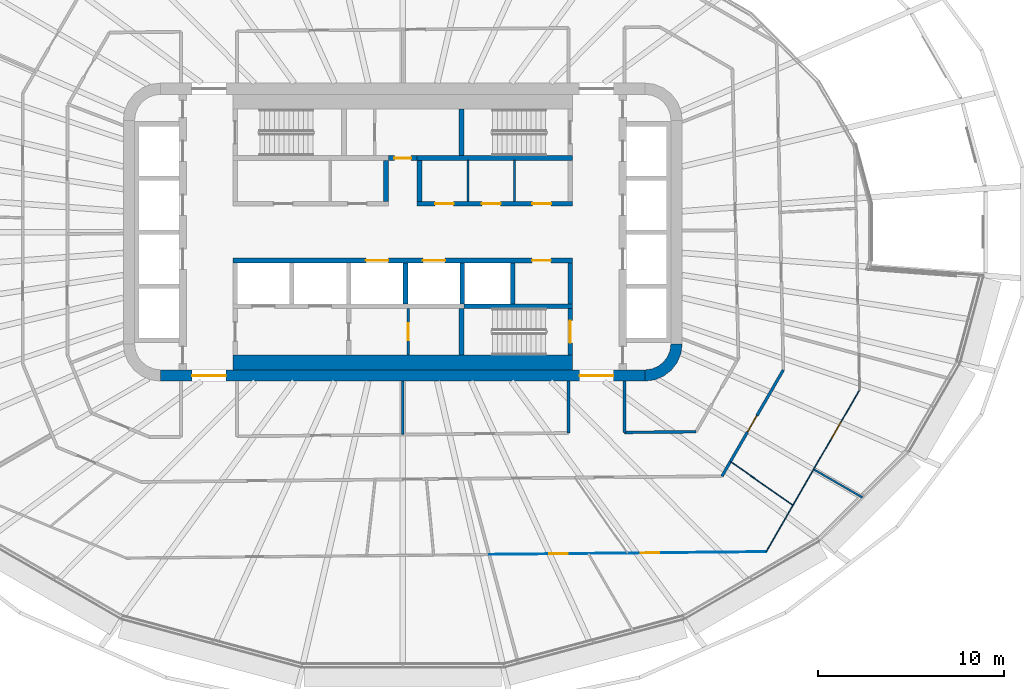
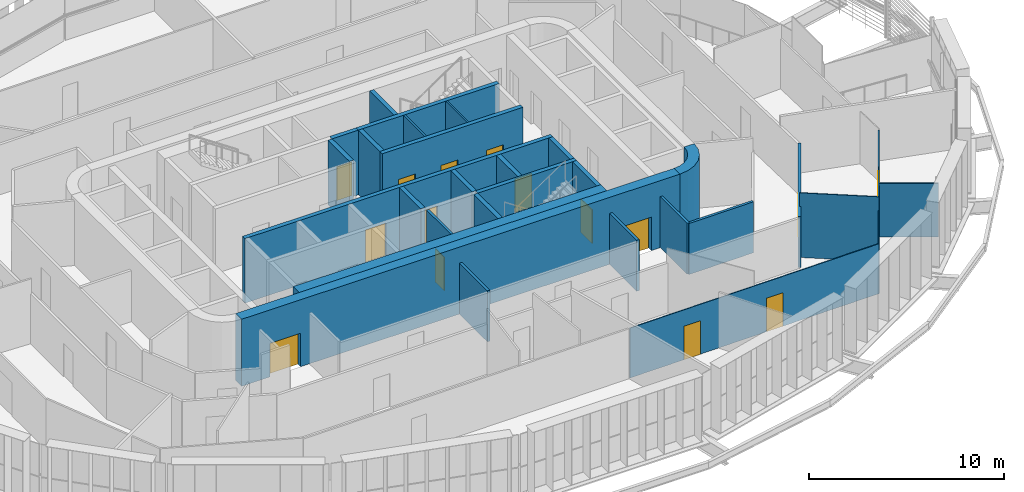
# One storey, part 14 of 24: 29 walls, 15 doors, 15 openings.
"""IFC4 building model written with IfcOpenShell, lengths in metres."""

import ifcopenshell
import ifcopenshell.guid

model = None  # the IFC model being written
_history = None  # IfcOwnerHistory: only IFC2X3 demands one
_inside = {}  # id of a spatial element -> (the spatial element, [elements in it])
_under = {}  # id of a project, library or spatial element -> (it, [spatial elements below it])
_declared = {}  # id of a project -> (the project, [libraries it declares])
_typed = {}  # id of a type object -> (the type object, [elements of that type])
_made_of = {}  # id of a material, layer set ... -> (it, [elements and type objects made of it])


def new_model(schema):
    """Start an empty IFC model of exactly this schema.

    Asked for "IFC4X3", IfcOpenShell would pick the latest addendum, in which some entities
    have other attributes; the version numbers below select the first issue.
    IFC2X3 requires an IfcOwnerHistory on every rooted entity: one is made here for all.
    """
    global model, _history
    if schema == "IFC4X3":
        model = ifcopenshell.file(schema_version=(4, 3, 0, 0))
    else:
        model = ifcopenshell.file(schema=schema)
    _inside.clear()
    _under.clear()
    _declared.clear()
    _typed.clear()
    _made_of.clear()
    _history = None
    if model.schema == "IFC2X3":
        org = make("IfcOrganization", Name="unknown")
        user = make(
            "IfcPersonAndOrganization",
            ThePerson=make("IfcPerson", FamilyName="unknown"),
            TheOrganization=org,
        )
        app = make(
            "IfcApplication",
            ApplicationDeveloper=org,
            Version="unknown",
            ApplicationFullName="unknown",
            ApplicationIdentifier="unknown",
        )
        _history = make(
            "IfcOwnerHistory",
            OwningUser=user,
            OwningApplication=app,
            ChangeAction="ADDED",
            CreationDate=0,
        )
    return model


def make(cls, **values):
    """One entity of the class cls with the attributes given. An attribute that is None is left unset."""
    return model.create_entity(
        cls, **{name: value for name, value in values.items() if value is not None}
    )


def rooted(cls, **values):
    """An entity with a GlobalId (a new one), such as an element, a storey or a relation."""
    return make(cls, GlobalId=ifcopenshell.guid.new(), OwnerHistory=_history, **values)


def si_unit(unit_type, name, prefix=None):
    """IfcSIUnit, for example si_unit("LENGTHUNIT", "METRE", prefix="MILLI")."""
    return make("IfcSIUnit", UnitType=unit_type, Prefix=prefix, Name=name)


def assignment(units):
    """IfcUnitAssignment: the units of a project."""
    return None if units is None else make("IfcUnitAssignment", Units=units)


def point(xyz):
    """IfcCartesianPoint."""
    return None if xyz is None else make("IfcCartesianPoint", Coordinates=xyz)


def direction(xyz):
    """IfcDirection."""
    return None if xyz is None else make("IfcDirection", DirectionRatios=xyz)


def frame(location, z_axis=None, x_axis=None):
    """IfcAxis2Placement3D, a coordinate frame: its origin and axes. An axis left out is left unset."""
    return make(
        "IfcAxis2Placement3D",
        Location=point(location),
        Axis=direction(z_axis),
        RefDirection=direction(x_axis),
    )


def frame_2d(location, x_axis=None):
    """IfcAxis2Placement2D, a coordinate frame in the plane: its origin and x axis."""
    return make(
        "IfcAxis2Placement2D", Location=point(location), RefDirection=direction(x_axis)
    )


def origin():
    """The frame at (0, 0, 0) with its axes left unset."""
    return frame((0.0, 0.0, 0.0))


def place(relative_to, where):
    """IfcLocalPlacement: puts the frame where relative to a parent placement (None: the world)."""
    return make(
        "IfcLocalPlacement", PlacementRelTo=relative_to, RelativePlacement=where
    )


def context(
    kind, dimensions, precision=None, world=None, true_north=None, identifier=None
):
    """IfcGeometricRepresentationContext, for example the 3D "Model" context."""
    return make(
        "IfcGeometricRepresentationContext",
        ContextIdentifier=identifier,
        ContextType=kind,
        CoordinateSpaceDimension=dimensions,
        Precision=precision,
        WorldCoordinateSystem=world,
        TrueNorth=true_north,
    )


def subcontext(parent, identifier, kind, view, scale=None):
    """IfcGeometricRepresentationSubContext, for example "Body" below "Model"."""
    return make(
        "IfcGeometricRepresentationSubContext",
        ContextIdentifier=identifier,
        ContextType=kind,
        ParentContext=parent,
        TargetScale=scale,
        TargetView=view,
    )


def project(units=None, contexts=None):
    """IfcProject with its units and contexts."""
    return rooted(
        "IfcProject",
        Name="project",
        RepresentationContexts=contexts,
        UnitsInContext=assignment(units),
    )


def spatial(cls, under=None, at=None, **own):
    """A site, building, storey or space (cls), placed at a placement, below another one or the project."""
    s = rooted(cls, ObjectPlacement=at, **own)
    if under is not None:
        _under.setdefault(under.id(), (under, []))[1].append(s)
    return s


def polyline(points):
    """IfcPolyline through the points."""
    return make("IfcPolyline", Points=[point(p) for p in points])


def profile(cls, at=None, kind="AREA", **sizes):
    """A parametric profile (cls). Its sizes go by their IFC names, for example OverallWidth=200.0."""
    return make(cls, ProfileType=kind, Position=at, **sizes)


def rectangle(**sizes):
    """IfcRectangleProfileDef."""
    return profile("IfcRectangleProfileDef", **sizes)


def outline(outer, holes=None, kind="AREA"):
    """IfcArbitraryClosedProfileDef: a profile drawn as a closed curve; with holes, ...WithVoids."""
    if holes is None:
        return make("IfcArbitraryClosedProfileDef", ProfileType=kind, OuterCurve=outer)
    return make(
        "IfcArbitraryProfileDefWithVoids",
        ProfileType=kind,
        OuterCurve=outer,
        InnerCurves=holes,
    )


def extrude(swept, where, along, depth):
    """IfcExtrudedAreaSolid: the profile swept, set in the frame where, extruded along a direction by depth."""
    return make(
        "IfcExtrudedAreaSolid",
        SweptArea=swept,
        Position=where,
        ExtrudedDirection=direction(along),
        Depth=depth,
    )


def shape(context_of_items, identifier, shape_type, items):
    """IfcShapeRepresentation: the items that make up one representation, for example the "Body"."""
    return make(
        "IfcShapeRepresentation",
        ContextOfItems=context_of_items,
        RepresentationIdentifier=identifier,
        RepresentationType=shape_type,
        Items=items,
    )


def material(Name=None, Category=None):
    """IfcMaterial."""
    return make("IfcMaterial", Name=Name, Category=Category)


def layer(
    of_material, thickness, ventilated=None, Name=None, Category=None, Priority=None
):
    """IfcMaterialLayer: one layer of a wall or slab, of a material (None: an air gap)."""
    return make(
        "IfcMaterialLayer",
        Material=of_material,
        LayerThickness=thickness,
        IsVentilated=ventilated,
        Name=Name,
        Category=Category,
        Priority=Priority,
    )


def layer_set(layers, Name=None):
    """IfcMaterialLayerSet."""
    return make("IfcMaterialLayerSet", MaterialLayers=layers, LayerSetName=Name)


def made_of(thing, what):
    """Note that an element or type object is made of a material, layer set ...; save() writes the relation."""
    if what is not None:
        _made_of.setdefault(what.id(), (what, []))[1].append(thing)
    return thing


def type_object(cls, material=None, **own):
    """A type object (cls), such as IfcWallType, which elements share."""
    return made_of(rooted(cls, **own), material)


def element(
    cls,
    number,
    at=None,
    inside=None,
    cuts=None,
    type_object=None,
    material=None,
    context=None,
    identifier="Body",
    shape_type=None,
    held_by="IfcProductDefinitionShape",
    body=None,
    shapes=None,
    **own,
):
    """One element of the class cls, such as IfcWall. Its Tag is "e" and its number.

    at: its placement. inside: the storey or other place that contains it. cuts: it is an
    opening in that element (IfcRelVoidsElement). A single representation is given by context,
    identifier, shape_type and body (its items); several are given by shapes. held_by: the class
    of the entity that holds the representations. save() writes the other relations.
    """
    e = rooted(cls, Tag="e%d" % number, ObjectPlacement=at, **own)
    if body is not None:
        shapes = [shape(context, identifier, shape_type, body)]
    if shapes is not None:
        e.Representation = make(held_by, Representations=shapes)
    if inside is not None:
        _inside.setdefault(inside.id(), (inside, []))[1].append(e)
    if cuts is not None:
        rooted(
            "IfcRelVoidsElement", RelatingBuildingElement=cuts, RelatedOpeningElement=e
        )
    if type_object is not None:
        _typed.setdefault(type_object.id(), (type_object, []))[1].append(e)
    return made_of(e, material)


def fill(opening, filler):
    """IfcRelFillsElement: the door or window that sits in an opening."""
    return rooted(
        "IfcRelFillsElement",
        RelatingOpeningElement=opening,
        RelatedBuildingElement=filler,
    )


def aggregate(whole, parts):
    """IfcRelAggregates: a whole, such as a stair, and the parts it consists of."""
    return rooted("IfcRelAggregates", RelatingObject=whole, RelatedObjects=parts)


def save(model, path):
    """Write the relations noted so far, then the file.

    IfcRelAggregates (storeys below a building ...), IfcRelContainedInSpatialStructure (elements
    in a storey), IfcRelDefinesByType, IfcRelAssociatesMaterial and IfcRelDeclares: one each for
    every whole, place, type object, material and project.
    """
    for whole, parts in _under.values():
        aggregate(whole, parts)
    for where, things in _inside.values():
        rooted(
            "IfcRelContainedInSpatialStructure",
            RelatedElements=things,
            RelatingStructure=where,
        )
    for kind, things in _typed.values():
        rooted("IfcRelDefinesByType", RelatedObjects=things, RelatingType=kind)
    for what, things in _made_of.values():
        rooted("IfcRelAssociatesMaterial", RelatedObjects=things, RelatingMaterial=what)
    for by, libraries in _declared.values():
        rooted("IfcRelDeclares", RelatingContext=by, RelatedDefinitions=libraries)
    model.write(path)


model = new_model("IFC4")

# Units and contexts
model_context = context("Model", 3, precision=1e-05, world=origin(), true_north=direction((0.0, 1.0)))
body_context = subcontext(model_context, "Body", "Model", "MODEL_VIEW")
ifc_project = project(units=[si_unit("LENGTHUNIT", "METRE"), si_unit("AREAUNIT", "SQUARE_METRE"), si_unit("VOLUMEUNIT", "CUBIC_METRE"), si_unit("PLANEANGLEUNIT", "RADIAN"), si_unit("MASSUNIT", "GRAM", prefix="KILO")], contexts=[model_context])

# Site, building, storey
site_placement = place(None, origin())
site = spatial("IfcSite", under=ifc_project, at=site_placement, CompositionType="ELEMENT")
building_placement = place(site_placement, origin())
building = spatial("IfcBuilding", under=site, at=building_placement, Name="Sahrelin Media Tower", CompositionType="ELEMENT")
storey_placement = place(building_placement, frame((0.0, 0.0, 71.39990234375)))
storey = spatial("IfcBuildingStorey", under=building, at=storey_placement, Name="L12", CompositionType="ELEMENT", Elevation=71.39990234375)

# Wall, openings, doors
ifc_material_1 = material(Name="Concrete C60/75", Category="concrete")
ifc_layer_1 = layer(ifc_material_1, 0.60009765625)
ifc_layer_set_1 = layer_set([ifc_layer_1], Name="Core wall 600")
wall_type_1 = type_object("IfcWallType", Name="Core wall 600", PredefinedType="SHEAR", material=ifc_layer_set_1)
wall_1_placement = place(storey_placement, frame((-13.0, -7.699951171875, 0.0), z_axis=(0.0, 0.0, 1.0), x_axis=(1.0, 0.0, 0.0)))
wall_1 = element("IfcWall", 1, at=wall_1_placement, inside=storey, type_object=wall_type_1, Name="Core wall S L12", PredefinedType="SHEAR", context=body_context, shape_type="SweptSolid", body=[
    extrude(rectangle(XDim=26.0, YDim=0.60009765625, at=frame_2d((13.0, 0.0))), origin(), (0.0, 0.0, 1.0), 4.2001953125),
])
opening_1_placement = place(wall_1_placement, frame((1.699951171875, 0.0, 0.0)))
opening_1 = element("IfcOpeningElement", 2, at=opening_1_placement, cuts=wall_1, Name="Opening L12-D21", PredefinedType="OPENING", context=body_context, shape_type="SweptSolid", body=[
    extrude(rectangle(XDim=1.800048828125, YDim=2.10009765625, at=frame_2d((0.89990234375, 1.050048828125))), frame((0.0, 0.300048828125, 0.0), z_axis=(0.0, -1.0, 0.0), x_axis=(1.0, 0.0, 0.0)), (0.0, 0.0, 1.0), 0.60009765625),
])
opening_2_placement = place(wall_1_placement, frame((22.5, 0.0, 0.0)))
opening_2 = element("IfcOpeningElement", 3, at=opening_2_placement, cuts=wall_1, Name="Opening L12-D22", PredefinedType="OPENING", context=body_context, shape_type="SweptSolid", body=[
    extrude(rectangle(XDim=1.800048828125, YDim=2.10009765625, at=frame_2d((0.89990234375, 1.050048828125))), frame((0.0, 0.300048828125, 0.0), z_axis=(0.0, -1.0, 0.0), x_axis=(1.0, 0.0, 0.0)), (0.0, 0.0, 1.0), 0.60009765625),
])
ifc_material_2 = material(Name="Steel fire door leaf", Category="steel")
door_type_1 = type_object("IfcDoorType", Name="Lobby double door 1800 x 2100 EI 60", OperationType="DOUBLE_DOOR_SINGLE_SWING", PredefinedType="DOOR", material=ifc_material_2)
door_1_placement = place(opening_1_placement, origin())
door_1 = element("IfcDoor", 4, at=door_1_placement, inside=storey, type_object=door_type_1, Name="Lobby door", OperationType="DOUBLE_DOOR_SINGLE_SWING", OverallHeight=2.10009765625, OverallWidth=1.800048828125, PredefinedType="DOOR", context=body_context, shape_type="SweptSolid", body=[
    extrude(rectangle(XDim=1.800048828125, YDim=2.10009765625, at=frame_2d((0.89990234375, 1.050048828125))), frame((0.0, 0.02490234375, 0.0), z_axis=(0.0, -1.0, 0.0), x_axis=(1.0, 0.0, 0.0)), (0.0, 0.0, 1.0), 0.050048828125),
])
fill(opening_1, door_1)
door_2_placement = place(opening_2_placement, origin())
door_2 = element("IfcDoor", 5, at=door_2_placement, inside=storey, type_object=door_type_1, Name="Lobby door", OperationType="DOUBLE_DOOR_SINGLE_SWING", OverallHeight=2.10009765625, OverallWidth=1.800048828125, PredefinedType="DOOR", context=body_context, shape_type="SweptSolid", body=[
    extrude(rectangle(XDim=1.800048828125, YDim=2.10009765625, at=frame_2d((0.89990234375, 1.050048828125))), frame((0.0, 0.02490234375, 0.0), z_axis=(0.0, -1.0, 0.0), x_axis=(1.0, 0.0, 0.0)), (0.0, 0.0, 1.0), 0.050048828125),
])
fill(opening_2, door_2)

# Wall
wall_2_placement = place(storey_placement, origin())
element("IfcWall", 6, at=wall_2_placement, inside=storey, type_object=wall_type_1, Name="Core wall corner SE L12", PredefinedType="SHEAR", context=body_context, shape_type="SweptSolid", body=[
    extrude(outline(polyline([(15.0, -6.0), (14.394775390625, -6.0), (14.347412109375, -6.361083984375), (14.2080078125, -6.697509765625), (13.986328125, -6.986328125), (13.697509765625, -7.2080078125), (13.361083984375, -7.347412109375), (13.0, -7.394775390625), (13.0, -8.0), (13.517578125, -7.931884765625), (14.0, -7.732177734375), (14.414306640625, -7.414306640625), (14.732177734375, -7.0), (14.931884765625, -6.517578125), (15.0, -6.0)])), origin(), (0.0, 0.0, 1.0), 4.2001953125),
])

# Wall, opening, door
ifc_material_3 = material(Name="Fire-rated gypsum board partition")
ifc_layer_2 = layer(ifc_material_3, 0.25)
ifc_layer_set_2 = layer_set([ifc_layer_2], Name="Fire-rated lobby wall 250")
wall_type_2 = type_object("IfcWallType", Name="Fire-rated lobby wall 250", PredefinedType="PARTITIONING", material=ifc_layer_set_2)
wall_3_placement = place(storey_placement, frame((-0.77490234375, 3.97509765625, 0.0), z_axis=(0.0, 0.0, 1.0), x_axis=(1.0, 0.0, 0.0)))
wall_3 = element("IfcWall", 7, at=wall_3_placement, inside=storey, type_object=wall_type_2, Name="Core lobby wall", PredefinedType="PARTITIONING", context=body_context, shape_type="SweptSolid", body=[
    extrude(rectangle(XDim=1.5498046875, YDim=0.25, at=frame_2d((0.77490234375, 0.0))), origin(), (0.0, 0.0, 1.0), 4.050048828125),
])
opening_3_placement = place(wall_3_placement, frame((0.324951171875, 0.0, 0.0)))
opening_3 = element("IfcOpeningElement", 8, at=opening_3_placement, cuts=wall_3, Name="Opening L12-D06", PredefinedType="OPENING", context=body_context, shape_type="SweptSolid", body=[
    extrude(rectangle(XDim=0.89990234375, YDim=2.10009765625, at=frame_2d((0.449951171875, 1.050048828125))), frame((0.0, 0.125, 0.0), z_axis=(0.0, -1.0, 0.0), x_axis=(1.0, 0.0, 0.0)), (0.0, 0.0, 1.0), 0.25),
])
door_type_2 = type_object("IfcDoorType", Name="Riser door 900 x 2100 EI 120", OperationType="NOTDEFINED", PredefinedType="DOOR", material=ifc_material_2)
door_3_placement = place(opening_3_placement, origin())
door_3 = element("IfcDoor", 9, at=door_3_placement, inside=storey, type_object=door_type_2, Name="Core room door", OperationType="SINGLE_SWING_LEFT", OverallHeight=2.10009765625, OverallWidth=0.89990234375, PredefinedType="DOOR", context=body_context, shape_type="SweptSolid", body=[
    extrude(rectangle(XDim=0.89990234375, YDim=2.10009765625, at=frame_2d((0.449951171875, 1.050048828125))), frame((0.0, 0.02490234375, 0.0), z_axis=(0.0, -1.0, 0.0), x_axis=(1.0, 0.0, 0.0)), (0.0, 0.0, 1.0), 0.050048828125),
])
fill(opening_3, door_3)

# Wall, openings, doors
wall_4_placement = place(storey_placement, frame((0.77490234375, 1.52490234375, 0.0), z_axis=(0.0, 0.0, 1.0), x_axis=(1.0, 0.0, 0.0)))
wall_4 = element("IfcWall", 10, at=wall_4_placement, inside=storey, type_object=wall_type_2, Name="Core lobby wall", PredefinedType="PARTITIONING", context=body_context, shape_type="SweptSolid", body=[
    extrude(rectangle(XDim=8.35009765625, YDim=0.25, at=frame_2d((4.175048828125, 0.0))), origin(), (0.0, 0.0, 1.0), 4.050048828125),
])
opening_4_placement = place(wall_4_placement, frame((0.96240234375, 0.0, 0.0)))
opening_4 = element("IfcOpeningElement", 11, at=opening_4_placement, cuts=wall_4, Name="Opening L12-D11", PredefinedType="OPENING", context=body_context, shape_type="SweptSolid", body=[
    extrude(rectangle(XDim=1.0, YDim=2.10009765625, at=frame_2d((0.5, 1.050048828125))), frame((0.0, 0.125, 0.0), z_axis=(0.0, -1.0, 0.0), x_axis=(1.0, 0.0, 0.0)), (0.0, 0.0, 1.0), 0.25),
])
opening_5_placement = place(wall_4_placement, frame((3.47509765625, 0.0, 0.0)))
opening_5 = element("IfcOpeningElement", 12, at=opening_5_placement, cuts=wall_4, Name="Opening L12-D12", PredefinedType="OPENING", context=body_context, shape_type="SweptSolid", body=[
    extrude(rectangle(XDim=1.0, YDim=2.10009765625, at=frame_2d((0.5, 1.050048828125))), frame((0.0, 0.125, 0.0), z_axis=(0.0, -1.0, 0.0), x_axis=(1.0, 0.0, 0.0)), (0.0, 0.0, 1.0), 0.25),
])
opening_6_placement = place(wall_4_placement, frame((6.1875, 0.0, 0.0)))
opening_6 = element("IfcOpeningElement", 13, at=opening_6_placement, cuts=wall_4, Name="Opening L12-D13", PredefinedType="OPENING", context=body_context, shape_type="SweptSolid", body=[
    extrude(rectangle(XDim=1.0, YDim=2.10009765625, at=frame_2d((0.5, 1.050048828125))), frame((0.0, 0.125, 0.0), z_axis=(0.0, -1.0, 0.0), x_axis=(1.0, 0.0, 0.0)), (0.0, 0.0, 1.0), 0.25),
])
door_type_3 = type_object("IfcDoorType", Name="Fire door 1000 x 2100 EI 60", OperationType="NOTDEFINED", PredefinedType="DOOR", material=ifc_material_2)
door_4_placement = place(opening_4_placement, origin())
door_4 = element("IfcDoor", 14, at=door_4_placement, inside=storey, type_object=door_type_3, Name="Core room door", OperationType="SINGLE_SWING_LEFT", OverallHeight=2.10009765625, OverallWidth=1.0, PredefinedType="DOOR", context=body_context, shape_type="SweptSolid", body=[
    extrude(rectangle(XDim=1.0, YDim=2.10009765625, at=frame_2d((0.5, 1.050048828125))), frame((0.0, 0.02490234375, 0.0), z_axis=(0.0, -1.0, 0.0), x_axis=(1.0, 0.0, 0.0)), (0.0, 0.0, 1.0), 0.050048828125),
])
fill(opening_4, door_4)
door_5_placement = place(opening_5_placement, origin())
door_5 = element("IfcDoor", 15, at=door_5_placement, inside=storey, type_object=door_type_3, Name="Core room door", OperationType="SINGLE_SWING_LEFT", OverallHeight=2.10009765625, OverallWidth=1.0, PredefinedType="DOOR", context=body_context, shape_type="SweptSolid", body=[
    extrude(rectangle(XDim=1.0, YDim=2.10009765625, at=frame_2d((0.5, 1.050048828125))), frame((0.0, 0.02490234375, 0.0), z_axis=(0.0, -1.0, 0.0), x_axis=(1.0, 0.0, 0.0)), (0.0, 0.0, 1.0), 0.050048828125),
])
fill(opening_5, door_5)
door_6_placement = place(opening_6_placement, origin())
door_6 = element("IfcDoor", 16, at=door_6_placement, inside=storey, type_object=door_type_3, Name="Core room door", OperationType="SINGLE_SWING_LEFT", OverallHeight=2.10009765625, OverallWidth=1.0, PredefinedType="DOOR", context=body_context, shape_type="SweptSolid", body=[
    extrude(rectangle(XDim=1.0, YDim=2.10009765625, at=frame_2d((0.5, 1.050048828125))), frame((0.0, 0.02490234375, 0.0), z_axis=(0.0, -1.0, 0.0), x_axis=(1.0, 0.0, 0.0)), (0.0, 0.0, 1.0), 0.050048828125),
])
fill(opening_6, door_6)

# Walls
for number, where, z_axis, x_axis, name in (
    (17, (-0.89990234375, 1.64990234375, 0.0), (0.0, 0.0, 1.0), (0.0, 1.0, 0.0), "Core lobby wall"),
    (18, (0.89990234375, 1.64990234375, 0.0), (0.0, 0.0, 1.0), (0.0, 1.0, 0.0), "Core lobby wall"),
):
    element("IfcWall", number, at=place(storey_placement, frame(where, z_axis=z_axis, x_axis=x_axis)), inside=storey, type_object=wall_type_2, Name=name, PredefinedType="PARTITIONING", context=body_context, shape_type="SweptSolid", body=[
        extrude(rectangle(XDim=2.2001953125, YDim=0.25, at=frame_2d((1.10009765625, 0.0))), origin(), (0.0, 0.0, 1.0), 4.050048828125),
    ])
ifc_layer_3 = layer(ifc_material_3, 0.10009765625)
ifc_layer_set_3 = layer_set([ifc_layer_3], Name="Fire-rated partition 100")
wall_type_3 = type_object("IfcWallType", Name="Fire-rated partition 100", PredefinedType="PARTITIONING", material=ifc_layer_set_3)
for number, where, z_axis, x_axis, name in (
    (19, (3.5, 1.64990234375, 0.0), (0.0, 0.0, 1.0), (0.0, 1.0, 0.0), "Core room partition"),
    (20, (6.0, 1.64990234375, 0.0), (0.0, 0.0, 1.0), (0.0, 1.0, 0.0), "Core room partition"),
):
    element("IfcWall", number, at=place(storey_placement, frame(where, z_axis=z_axis, x_axis=x_axis)), inside=storey, type_object=wall_type_3, Name=name, PredefinedType="PARTITIONING", context=body_context, shape_type="SweptSolid", body=[
        extrude(rectangle(XDim=2.2001953125, YDim=0.10009765625, at=frame_2d((1.10009765625, 0.0))), origin(), (0.0, 0.0, 1.0), 4.050048828125),
    ])

# Wall, opening, door
ifc_layer_4 = layer(ifc_material_3, 0.14990234375)
ifc_layer_set_4 = layer_set([ifc_layer_4], Name="Fire-rated partition 150")
wall_type_4 = type_object("IfcWallType", Name="Fire-rated partition 150", PredefinedType="PARTITIONING", material=ifc_layer_set_4)
wall_5_placement = place(storey_placement, frame((0.300048828125, -6.60009765625, 0.0), z_axis=(0.0, 0.0, 1.0), x_axis=(0.0, 1.0, 0.0)))
wall_5 = element("IfcWall", 21, at=wall_5_placement, inside=storey, type_object=wall_type_4, Name="Core room fire partition", PredefinedType="PARTITIONING", context=body_context, shape_type="SweptSolid", body=[
    extrude(rectangle(XDim=2.5, YDim=0.14990234375, at=frame_2d((1.25, 0.0))), origin(), (0.0, 0.0, 1.0), 4.050048828125),
])
opening_7_placement = place(wall_5_placement, frame((0.800048828125, 0.0, 0.0)))
opening_7 = element("IfcOpeningElement", 22, at=opening_7_placement, cuts=wall_5, Name="Opening L12-D08", PredefinedType="OPENING", context=body_context, shape_type="SweptSolid", body=[
    extrude(rectangle(XDim=0.89990234375, YDim=2.10009765625, at=frame_2d((0.449951171875, 1.050048828125))), frame((0.0, 0.074951171875, 0.0), z_axis=(0.0, -1.0, 0.0), x_axis=(1.0, 0.0, 0.0)), (0.0, 0.0, 1.0), 0.14990234375),
])
door_type_4 = type_object("IfcDoorType", Name="Fire door 900 x 2100 EI 60", OperationType="NOTDEFINED", PredefinedType="DOOR", material=ifc_material_2)
door_7_placement = place(opening_7_placement, origin())
door_7 = element("IfcDoor", 23, at=door_7_placement, inside=storey, type_object=door_type_4, Name="Core room door", OperationType="SINGLE_SWING_RIGHT", OverallHeight=2.10009765625, OverallWidth=0.89990234375, PredefinedType="DOOR", context=body_context, shape_type="SweptSolid", body=[
    extrude(rectangle(XDim=0.89990234375, YDim=2.10009765625, at=frame_2d((0.449951171875, 1.050048828125))), frame((0.0, 0.02490234375, 0.0), z_axis=(0.0, -1.0, 0.0), x_axis=(1.0, 0.0, 0.0)), (0.0, 0.0, 1.0), 0.050048828125),
])
fill(opening_7, door_7)

# Wall
wall_6_placement = place(storey_placement, frame((11.89990234375, -10.7529296875, 0.0), z_axis=(0.0, 0.0, 1.0), x_axis=(0.999950870391, 0.009912456998, 0.0)))
element("IfcWall", 24, at=wall_6_placement, inside=storey, type_object=wall_type_4, Name="Wall", PredefinedType="PARTITIONING", context=body_context, shape_type="SweptSolid", body=[
    extrude(rectangle(XDim=3.84228515625, YDim=0.14990234375, at=frame_2d((1.921142578125, 0.0))), origin(), (0.0, 0.0, 1.0), 3.1953125),
])

# Wall, opening, door
wall_7_placement = place(storey_placement, frame((17.135009765625, -13.10107421875, 0.0), z_axis=(0.0, 0.0, 1.0), x_axis=(0.499944832242, 0.866057252562, 0.0)))
wall_7 = element("IfcWall", 25, at=wall_7_placement, inside=storey, type_object=wall_type_4, Name="Wall", PredefinedType="PARTITIONING", context=body_context, shape_type="SweptSolid", body=[
    extrude(rectangle(XDim=6.589111328125, YDim=0.14990234375, at=frame_2d((3.29443359375, 0.0))), origin(), (0.0, 0.0, 1.0), 3.1953125),
])
opening_8_placement = place(wall_7_placement, frame((2.74609375, 0.0, 0.0)))
opening_8 = element("IfcOpeningElement", 26, at=opening_8_placement, cuts=wall_7, Name="Opening L12-D46", PredefinedType="OPENING", context=body_context, shape_type="SweptSolid", body=[
    extrude(rectangle(XDim=1.0, YDim=2.10009765625, at=frame_2d((0.5, 1.050048828125))), frame((0.0, 0.074951171875, 0.0), z_axis=(0.0, -1.0, 0.0), x_axis=(1.0, 0.0, 0.0)), (0.0, 0.0, 1.0), 0.14990234375),
])
door_8_placement = place(opening_8_placement, origin())
door_8 = element("IfcDoor", 27, at=door_8_placement, inside=storey, type_object=door_type_3, Name="Fire door", OperationType="SINGLE_SWING_RIGHT", OverallHeight=2.10009765625, OverallWidth=1.0, PredefinedType="DOOR", context=body_context, shape_type="SweptSolid", body=[
    extrude(rectangle(XDim=1.0, YDim=2.10009765625, at=frame_2d((0.5, 1.050048828125))), frame((0.0, 0.02490234375, 0.0), z_axis=(0.0, -1.0, 0.0), x_axis=(1.0, 0.0, 0.0)), (0.0, 0.0, 1.0), 0.050048828125),
])
fill(opening_8, door_8)

# Walls
wall_8_placement = place(storey_placement, frame((11.89990234375, -10.7529296875, 0.0), z_axis=(0.0, 0.0, 1.0), x_axis=(0.0, 1.0, 0.0)))
element("IfcWall", 28, at=wall_8_placement, inside=storey, type_object=wall_type_4, Name="Wall", PredefinedType="PARTITIONING", context=body_context, shape_type="SweptSolid", body=[
    extrude(rectangle(XDim=2.7529296875, YDim=0.14990234375, at=frame_2d((1.37646484375, 0.0))), origin(), (0.0, 0.0, 1.0), 3.1953125),
])
wall_9_placement = place(storey_placement, frame((8.89990234375, -10.782958984375, 0.0), z_axis=(0.0, 0.0, 1.0), x_axis=(0.0, 1.0, 0.0)))
element("IfcWall", 29, at=wall_9_placement, inside=storey, type_object=wall_type_4, Name="Wall", PredefinedType="PARTITIONING", context=body_context, shape_type="SweptSolid", body=[
    extrude(rectangle(XDim=2.782958984375, YDim=0.14990234375, at=frame_2d((1.3916015625, 0.0))), origin(), (0.0, 0.0, 1.0), 3.1953125),
])
wall_10_placement = place(storey_placement, frame((0.0, -10.8720703125, 0.0), z_axis=(0.0, 0.0, 1.0), x_axis=(0.0, 1.0, 0.0)))
element("IfcWall", 30, at=wall_10_placement, inside=storey, type_object=wall_type_4, Name="Wall", PredefinedType="PARTITIONING", context=body_context, shape_type="SweptSolid", body=[
    extrude(rectangle(XDim=2.8720703125, YDim=0.14990234375, at=frame_2d((1.43603515625, 0.0))), origin(), (0.0, 0.0, 1.0), 3.1953125),
])
ifc_material_4 = material(Name="Clear glass", Category="glass")
ifc_layer_5 = layer(ifc_material_4, 0.050048828125)
ifc_layer_set_5 = layer_set([ifc_layer_5], Name="Glazed partition 50")
wall_type_5 = type_object("IfcWallType", Name="Glazed partition 50", PredefinedType="PARTITIONING", material=ifc_layer_set_5)
wall_11_placement = place(storey_placement, frame((17.589111328125, -12.31494140625, 0.0), z_axis=(0.0, 0.0, 1.0), x_axis=(0.819047072593, -0.57372632228, 0.0)))
element("IfcWall", 31, at=wall_11_placement, inside=storey, type_object=wall_type_5, Name="Wall", PredefinedType="PARTITIONING", context=body_context, shape_type="SweptSolid", body=[
    extrude(rectangle(XDim=4.09619140625, YDim=0.050048828125, at=frame_2d((2.048095703125, 0.0))), origin(), (0.0, 0.0, 1.0), 4.050048828125),
])

# Wall, openings, doors
wall_12_placement = place(storey_placement, frame((4.636962890625, -17.305908203125, 0.0), z_axis=(0.0, 0.0, 1.0), x_axis=(0.999950486945, 0.009951063225, 0.0)))
wall_12 = element("IfcWall", 32, at=wall_12_placement, inside=storey, type_object=wall_type_5, Name="Wall", PredefinedType="PARTITIONING", context=body_context, shape_type="SweptSolid", body=[
    extrude(rectangle(XDim=14.86767578125, YDim=0.050048828125, at=frame_2d((7.433837890625, 0.0))), origin(), (0.0, 0.0, 1.0), 3.127197265625),
])
opening_9_placement = place(wall_12_placement, frame((3.214599609375, 0.0, 0.0)))
opening_9 = element("IfcOpeningElement", 33, at=opening_9_placement, cuts=wall_12, Name="Opening L12-D47", PredefinedType="OPENING", context=body_context, shape_type="SweptSolid", body=[
    extrude(rectangle(XDim=1.0, YDim=2.10009765625, at=frame_2d((0.5, 1.050048828125))), frame((0.0, 0.02490234375, 0.0), z_axis=(0.0, -1.0, 0.0), x_axis=(1.0, 0.0, 0.0)), (0.0, 0.0, 1.0), 0.050048828125),
])
opening_10_placement = place(wall_12_placement, frame((8.137451171875, 0.0, 0.0)))
opening_10 = element("IfcOpeningElement", 34, at=opening_10_placement, cuts=wall_12, Name="Opening L12-D48", PredefinedType="OPENING", context=body_context, shape_type="SweptSolid", body=[
    extrude(rectangle(XDim=1.0, YDim=2.10009765625, at=frame_2d((0.5, 1.050048828125))), frame((0.0, 0.02490234375, 0.0), z_axis=(0.0, -1.0, 0.0), x_axis=(1.0, 0.0, 0.0)), (0.0, 0.0, 1.0), 0.050048828125),
])
door_type_5 = type_object("IfcDoorType", Name="Glazed door 1000 x 2100", OperationType="NOTDEFINED", PredefinedType="DOOR", material=ifc_material_4)
door_9_placement = place(opening_9_placement, origin())
door_9 = element("IfcDoor", 35, at=door_9_placement, inside=storey, type_object=door_type_5, Name="Glazed door", OperationType="SINGLE_SWING_LEFT", OverallHeight=2.10009765625, OverallWidth=1.0, PredefinedType="DOOR", context=body_context, shape_type="SweptSolid", body=[
    extrude(rectangle(XDim=1.0, YDim=2.10009765625, at=frame_2d((0.5, 1.050048828125))), frame((0.0, 0.02490234375, 0.0), z_axis=(0.0, -1.0, 0.0), x_axis=(1.0, 0.0, 0.0)), (0.0, 0.0, 1.0), 0.049560546875),
])
fill(opening_9, door_9)
door_10_placement = place(opening_10_placement, origin())
door_10 = element("IfcDoor", 36, at=door_10_placement, inside=storey, type_object=door_type_5, Name="Glazed door", OperationType="SINGLE_SWING_LEFT", OverallHeight=2.10009765625, OverallWidth=1.0, PredefinedType="DOOR", context=body_context, shape_type="SweptSolid", body=[
    extrude(rectangle(XDim=1.0, YDim=2.10009765625, at=frame_2d((0.5, 1.050048828125))), frame((0.0, 0.02490234375, 0.0), z_axis=(0.0, -1.0, 0.0), x_axis=(1.0, 0.0, 0.0)), (0.0, 0.0, 1.0), 0.049560546875),
])
fill(opening_10, door_10)

# Wall, opening, door
wall_13_placement = place(storey_placement, frame((19.50390625, -17.157958984375, 0.0), z_axis=(0.0, 0.0, 1.0), x_axis=(0.500068479539, 0.865985863494, 0.0)))
wall_13 = element("IfcWall", 37, at=wall_13_placement, inside=storey, type_object=wall_type_5, Name="Wall", PredefinedType="PARTITIONING", context=body_context, shape_type="SweptSolid", body=[
    extrude(rectangle(XDim=10.056640625, YDim=0.050048828125, at=frame_2d((5.0283203125, 0.0))), origin(), (0.0, 0.0, 1.0), 3.1953125),
])
opening_11_placement = place(wall_13_placement, frame((7.03173828125, 0.0, 0.0)))
opening_11 = element("IfcOpeningElement", 38, at=opening_11_placement, cuts=wall_13, Name="Opening L12-D49", PredefinedType="OPENING", context=body_context, shape_type="SweptSolid", body=[
    extrude(rectangle(XDim=1.0, YDim=2.10009765625, at=frame_2d((0.5, 1.050048828125))), frame((0.0, 0.02490234375, 0.0), z_axis=(0.0, -1.0, 0.0), x_axis=(1.0, 0.0, 0.0)), (0.0, 0.0, 1.0), 0.050048828125),
])
door_11_placement = place(opening_11_placement, origin())
door_11 = element("IfcDoor", 39, at=door_11_placement, inside=storey, type_object=door_type_5, Name="Glazed door", OperationType="SINGLE_SWING_RIGHT", OverallHeight=2.10009765625, OverallWidth=1.0, PredefinedType="DOOR", context=body_context, shape_type="SweptSolid", body=[
    extrude(rectangle(XDim=1.0, YDim=2.10009765625, at=frame_2d((0.5, 1.050048828125))), frame((0.0, 0.02490234375, 0.0), z_axis=(0.0, -1.0, 0.0), x_axis=(1.0, 0.0, 0.0)), (0.0, 0.0, 1.0), 0.049560546875),
])
fill(opening_11, door_11)

# Wall, openings, doors
ifc_layer_6 = layer(ifc_material_1, 0.25)
ifc_layer_set_6 = layer_set([ifc_layer_6], Name="Lift shaft wall 250")
wall_type_6 = type_object("IfcWallType", Name="Lift shaft wall 250", PredefinedType="SOLIDWALL", material=ifc_layer_set_6)
wall_14_placement = place(storey_placement, frame((-9.125, -1.52490234375, 0.0), z_axis=(0.0, 0.0, 1.0), x_axis=(1.0, 0.0, 0.0)))
wall_14 = element("IfcWall", 40, at=wall_14_placement, inside=storey, type_object=wall_type_6, Name="Lift shaft wall", PredefinedType="SOLIDWALL", context=body_context, shape_type="SweptSolid", body=[
    extrude(rectangle(XDim=18.25, YDim=0.25, at=frame_2d((9.125, 0.0))), origin(), (0.0, 0.0, 1.0), 4.050048828125),
])
opening_12_placement = place(wall_14_placement, frame((7.14990234375, 0.0, 0.0)))
opening_12 = element("IfcOpeningElement", 41, at=opening_12_placement, cuts=wall_14, Name="Opening L12-LD-SV1", PredefinedType="OPENING", context=body_context, shape_type="SweptSolid", body=[
    extrude(rectangle(XDim=1.199951171875, YDim=2.10009765625, at=frame_2d((0.60009765625, 1.050048828125))), frame((0.0, 0.125, 0.0), z_axis=(0.0, -1.0, 0.0), x_axis=(1.0, 0.0, 0.0)), (0.0, 0.0, 1.0), 0.25),
])
opening_13_placement = place(wall_14_placement, frame((10.199951171875, 0.0, 0.0)))
opening_13 = element("IfcOpeningElement", 42, at=opening_13_placement, cuts=wall_14, Name="Opening L12-LD-SV2", PredefinedType="OPENING", context=body_context, shape_type="SweptSolid", body=[
    extrude(rectangle(XDim=1.199951171875, YDim=2.10009765625, at=frame_2d((0.60009765625, 1.050048828125))), frame((0.0, 0.125, 0.0), z_axis=(0.0, -1.0, 0.0), x_axis=(1.0, 0.0, 0.0)), (0.0, 0.0, 1.0), 0.25),
])
opening_14_placement = place(wall_14_placement, frame((16.074951171875, 0.0, 0.0)))
opening_14 = element("IfcOpeningElement", 43, at=opening_14_placement, cuts=wall_14, Name="Opening L12-D14", PredefinedType="OPENING", context=body_context, shape_type="SweptSolid", body=[
    extrude(rectangle(XDim=1.0, YDim=2.10009765625, at=frame_2d((0.5, 1.050048828125))), frame((0.0, 0.125, 0.0), z_axis=(0.0, -1.0, 0.0), x_axis=(1.0, 0.0, 0.0)), (0.0, 0.0, 1.0), 0.25),
])
door_12_placement = place(opening_14_placement, origin())
door_12 = element("IfcDoor", 44, at=door_12_placement, inside=storey, type_object=door_type_3, Name="Core room door", OperationType="SINGLE_SWING_RIGHT", OverallHeight=2.10009765625, OverallWidth=1.0, PredefinedType="DOOR", context=body_context, shape_type="SweptSolid", body=[
    extrude(rectangle(XDim=1.0, YDim=2.10009765625, at=frame_2d((0.5, 1.050048828125))), frame((0.0, 0.02490234375, 0.0), z_axis=(0.0, -1.0, 0.0), x_axis=(1.0, 0.0, 0.0)), (0.0, 0.0, 1.0), 0.050048828125),
])
fill(opening_14, door_12)
ifc_material_5 = material(Name="Stainless steel", Category="steel")
door_type_6 = type_object("IfcDoorType", Name="Lift landing door 1200 x 2100 EI 120", OperationType="DOUBLE_DOOR_SLIDING", PredefinedType="DOOR", material=ifc_material_5)
door_13_placement = place(opening_12_placement, origin())
door_13 = element("IfcDoor", 45, at=door_13_placement, inside=storey, type_object=door_type_6, Name="Lift landing door SV1", OperationType="DOUBLE_DOOR_SLIDING", OverallHeight=2.10009765625, OverallWidth=1.199951171875, PredefinedType="DOOR", context=body_context, shape_type="SweptSolid", body=[
    extrude(rectangle(XDim=1.199951171875, YDim=2.10009765625, at=frame_2d((0.60009765625, 1.050048828125))), frame((0.0, 0.02490234375, 0.0), z_axis=(0.0, -1.0, 0.0), x_axis=(1.0, 0.0, 0.0)), (0.0, 0.0, 1.0), 0.050048828125),
])
fill(opening_12, door_13)
door_14_placement = place(opening_13_placement, origin())
door_14 = element("IfcDoor", 46, at=door_14_placement, inside=storey, type_object=door_type_6, Name="Lift landing door SV2", OperationType="DOUBLE_DOOR_SLIDING", OverallHeight=2.10009765625, OverallWidth=1.199951171875, PredefinedType="DOOR", context=body_context, shape_type="SweptSolid", body=[
    extrude(rectangle(XDim=1.199951171875, YDim=2.10009765625, at=frame_2d((0.60009765625, 1.050048828125))), frame((0.0, 0.02490234375, 0.0), z_axis=(0.0, -1.0, 0.0), x_axis=(1.0, 0.0, 0.0)), (0.0, 0.0, 1.0), 0.050048828125),
])
fill(opening_13, door_14)

# Walls
wall_15_placement = place(storey_placement, frame((3.27490234375, -3.97509765625, 0.0), z_axis=(0.0, 0.0, 1.0), x_axis=(1.0, 0.0, 0.0)))
element("IfcWall", 47, at=wall_15_placement, inside=storey, type_object=wall_type_6, Name="Lift shaft wall", PredefinedType="SOLIDWALL", context=body_context, shape_type="SweptSolid", body=[
    extrude(rectangle(XDim=5.85009765625, YDim=0.25, at=frame_2d((2.925048828125, 0.0))), origin(), (0.0, 0.0, 1.0), 4.050048828125),
])
for number, where, z_axis, x_axis, name in (
    (48, (0.14990234375, -3.85009765625, 0.0), (0.0, 0.0, 1.0), (0.0, 1.0, 0.0), "Lift shaft wall"),
    (49, (3.199951171875, -3.85009765625, 0.0), (0.0, 0.0, 1.0), (0.0, 1.0, 0.0), "Lift shaft wall"),
    (50, (5.89990234375, -3.85009765625, 0.0), (0.0, 0.0, 1.0), (0.0, 1.0, 0.0), "Lift shaft wall"),
    (51, (9.0, -3.85009765625, 0.0), (0.0, 0.0, 1.0), (0.0, 1.0, 0.0), "Lift shaft wall"),
):
    element("IfcWall", number, at=place(storey_placement, frame(where, z_axis=z_axis, x_axis=x_axis)), inside=storey, type_object=wall_type_6, Name=name, PredefinedType="SOLIDWALL", context=body_context, shape_type="SweptSolid", body=[
        extrude(rectangle(XDim=2.2001953125, YDim=0.25, at=frame_2d((1.10009765625, 0.0))), origin(), (0.0, 0.0, 1.0), 4.050048828125),
    ])
ifc_material_6 = material(Name="Gypsum board partition")
ifc_layer_7 = layer(ifc_material_6, 0.10009765625)
ifc_layer_set_7 = layer_set([ifc_layer_7], Name="Partition 100")
wall_type_7 = type_object("IfcWallType", Name="Partition 100", PredefinedType="PARTITIONING", material=ifc_layer_set_7)
wall_16_placement = place(storey_placement, frame((22.05810546875, -12.735107421875, 0.0), z_axis=(0.0, 0.0, 1.0), x_axis=(0.866011219312, -0.500024567422, 0.0)))
element("IfcWall", 52, at=wall_16_placement, inside=storey, type_object=wall_type_7, Name="Wall", PredefinedType="PARTITIONING", context=body_context, shape_type="SweptSolid", body=[
    extrude(rectangle(XDim=3.054443359375, YDim=0.10009765625, at=frame_2d((1.52734375, 0.0))), origin(), (0.0, 0.0, 1.0), 3.352294921875),
])

# Wall, opening, door
ifc_layer_8 = layer(ifc_material_1, 0.25)
ifc_layer_set_8 = layer_set([ifc_layer_8], Name="Stair enclosure wall 250")
wall_type_8 = type_object("IfcWallType", Name="Stair enclosure wall 250", PredefinedType="SOLIDWALL", material=ifc_layer_set_8)
wall_17_placement = place(storey_placement, frame((9.0, -6.60009765625, 0.0), z_axis=(0.0, 0.0, 1.0), x_axis=(0.0, 1.0, 0.0)))
wall_17 = element("IfcWall", 53, at=wall_17_placement, inside=storey, type_object=wall_type_8, Name="Stair enclosure wall", PredefinedType="SOLIDWALL", context=body_context, shape_type="SweptSolid", body=[
    extrude(rectangle(XDim=2.5, YDim=0.25, at=frame_2d((1.25, 0.0))), origin(), (0.0, 0.0, 1.0), 4.050048828125),
])
opening_15_placement = place(wall_17_placement, frame((0.64990234375, 0.0, 0.0)))
opening_15 = element("IfcOpeningElement", 54, at=opening_15_placement, cuts=wall_17, Name="Opening L12-D03", PredefinedType="OPENING", context=body_context, shape_type="SweptSolid", body=[
    extrude(rectangle(XDim=1.199951171875, YDim=2.10009765625, at=frame_2d((0.60009765625, 1.050048828125))), frame((0.0, 0.125, 0.0), z_axis=(0.0, -1.0, 0.0), x_axis=(1.0, 0.0, 0.0)), (0.0, 0.0, 1.0), 0.25),
])
door_type_7 = type_object("IfcDoorType", Name="Stair door 1200 x 2100 EI 120", OperationType="NOTDEFINED", PredefinedType="DOOR", material=ifc_material_2)
door_15_placement = place(opening_15_placement, origin())
door_15 = element("IfcDoor", 55, at=door_15_placement, inside=storey, type_object=door_type_7, Name="Stair door ST2", OperationType="SINGLE_SWING_LEFT", OverallHeight=2.10009765625, OverallWidth=1.199951171875, PredefinedType="DOOR", context=body_context, shape_type="SweptSolid", body=[
    extrude(rectangle(XDim=1.199951171875, YDim=2.10009765625, at=frame_2d((0.60009765625, 1.050048828125))), frame((0.0, 0.02490234375, 0.0), z_axis=(0.0, -1.0, 0.0), x_axis=(1.0, 0.0, 0.0)), (0.0, 0.0, 1.0), 0.050048828125),
])
fill(opening_15, door_15)

# Walls
for number, where, z_axis, x_axis, name in (
    (56, (3.14990234375, 4.10009765625, 0.0), (0.0, 0.0, 1.0), (0.0, 1.0, 0.0), "Stair enclosure wall"),
    (57, (3.14990234375, -6.60009765625, 0.0), (0.0, 0.0, 1.0), (0.0, 1.0, 0.0), "Stair enclosure wall"),
):
    element("IfcWall", number, at=place(storey_placement, frame(where, z_axis=z_axis, x_axis=x_axis)), inside=storey, type_object=wall_type_8, Name=name, PredefinedType="SOLIDWALL", context=body_context, shape_type="SweptSolid", body=[
        extrude(rectangle(XDim=2.5, YDim=0.25, at=frame_2d((1.25, 0.0))), origin(), (0.0, 0.0, 1.0), 4.050048828125),
    ])
wall_18_placement = place(storey_placement, frame((0.77490234375, 3.97509765625, 0.0), z_axis=(0.0, 0.0, 1.0), x_axis=(1.0, 0.0, 0.0)))
element("IfcWall", 58, at=wall_18_placement, inside=storey, type_object=wall_type_8, Name="Stair enclosure wall", PredefinedType="SOLIDWALL", context=body_context, shape_type="SweptSolid", body=[
    extrude(rectangle(XDim=8.35009765625, YDim=0.25, at=frame_2d((4.175048828125, 0.0))), origin(), (0.0, 0.0, 1.0), 4.050048828125),
])
ifc_layer_9 = layer(ifc_material_1, 0.800048828125)
ifc_layer_set_9 = layer_set([ifc_layer_9], Name="Stair enclosure wall 800")
wall_type_9 = type_object("IfcWallType", Name="Stair enclosure wall 800", PredefinedType="SOLIDWALL", material=ifc_layer_set_9)
wall_19_placement = place(storey_placement, frame((-9.125, -7.0, 0.0), z_axis=(0.0, 0.0, 1.0), x_axis=(1.0, 0.0, 0.0)))
element("IfcWall", 59, at=wall_19_placement, inside=storey, type_object=wall_type_9, Name="Stair enclosure wall", PredefinedType="SOLIDWALL", context=body_context, shape_type="SweptSolid", body=[
    extrude(rectangle(XDim=18.25, YDim=0.800048828125, at=frame_2d((9.125, 0.0))), origin(), (0.0, 0.0, 1.0), 4.050048828125),
])

save(model, "model.ifc")
